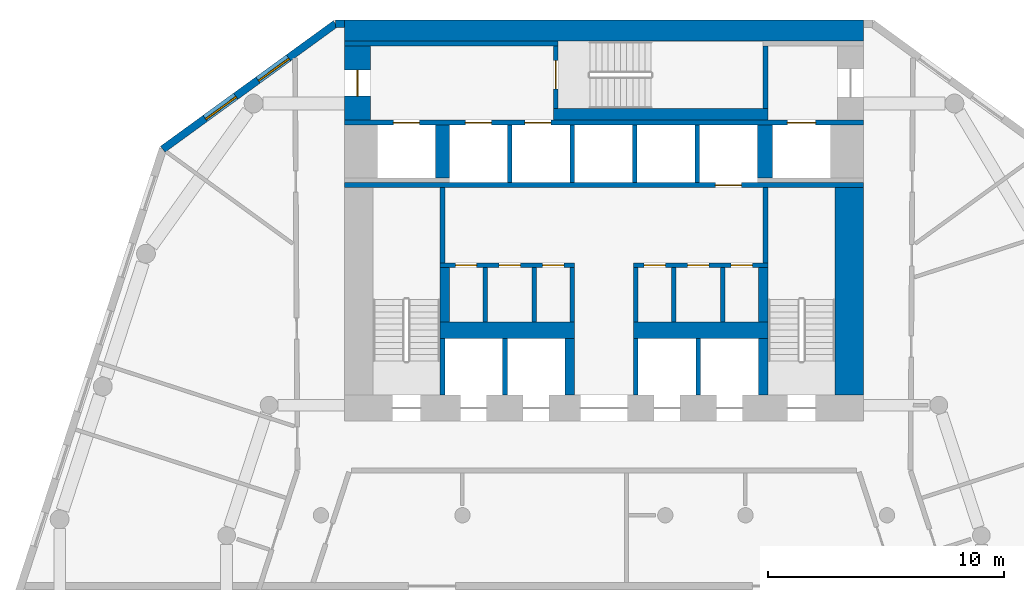
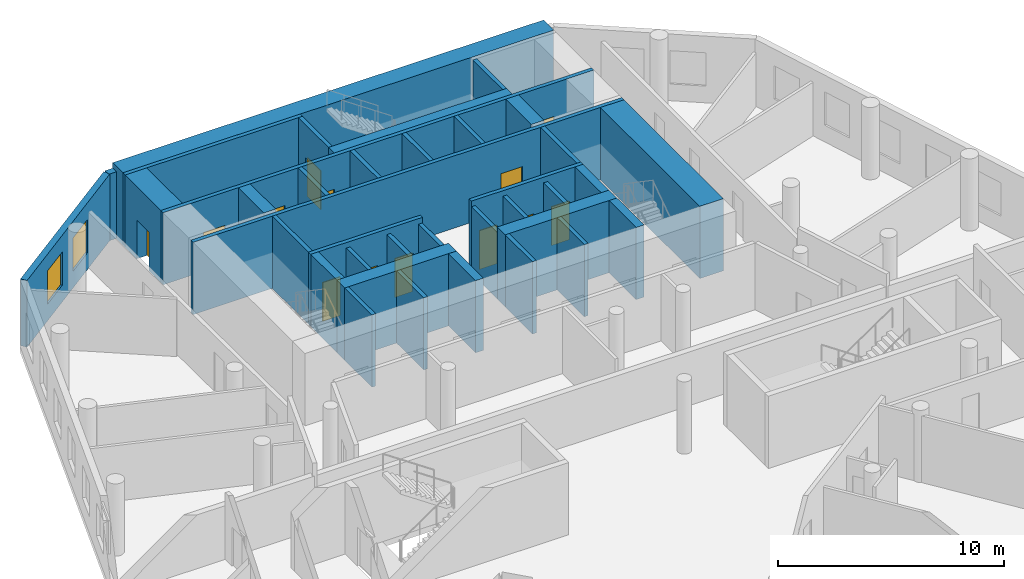
# One storey, part 5 of 9: 37 walls, 13 doors, 2 windows, 15 openings.
"""IFC4 building model written with IfcOpenShell, lengths in metres."""

from ifc_helpers import new_model, si_unit, direction, frame, frame_2d, origin, place, context, subcontext, project, spatial, rectangle, extrude, material, layer, layer_set, type_object, element, fill, save


model = new_model("IFC4")

# Units and contexts
model_context = context("Model", 3, precision=1e-05, world=origin(), true_north=direction((0.0, 1.0)))
body_context = subcontext(model_context, "Body", "Model", "MODEL_VIEW")
ifc_project = project(units=[si_unit("LENGTHUNIT", "METRE"), si_unit("AREAUNIT", "SQUARE_METRE"), si_unit("VOLUMEUNIT", "CUBIC_METRE"), si_unit("PLANEANGLEUNIT", "RADIAN"), si_unit("MASSUNIT", "GRAM", prefix="KILO")], contexts=[model_context])

# Site, building, storey
site_placement = place(None, origin())
site = spatial("IfcSite", under=ifc_project, at=site_placement, CompositionType="ELEMENT")
building_placement = place(site_placement, origin())
building = spatial("IfcBuilding", under=site, at=building_placement, Name="White Candle Pilgrim Tower", CompositionType="ELEMENT")
storey_placement = place(building_placement, frame((0.0, 0.0, 133.699951171875)))
storey = spatial("IfcBuildingStorey", under=building, at=storey_placement, Name="L30", CompositionType="ELEMENT", Elevation=133.699951171875)

# Wall, opening, door
ifc_material_1 = material(Name="Concrete C60/75", Category="concrete")
ifc_layer_1 = layer(ifc_material_1, 1.10009765625)
ifc_layer_set_1 = layer_set([ifc_layer_1], Name="Core wall 1100 mm Concrete C60/75")
wall_type_1 = type_object("IfcWallType", Name="Core wall 1100 mm Concrete C60/75", PredefinedType="SHEAR", material=ifc_layer_set_1)
wall_1_placement = place(storey_placement, frame((59.550048828125, 83.75, 0.0), z_axis=(0.0, 0.0, 1.0), x_axis=(0.0, 1.0, 0.0)))
wall_1 = element("IfcWall", 1, at=wall_1_placement, inside=storey, type_object=wall_type_1, Name="WL-L30-C46", PredefinedType="SHEAR", context=body_context, shape_type="SweptSolid", body=[
    extrude(rectangle(XDim=3.14990234375, YDim=1.10009765625, at=frame_2d((1.574951171875, 0.0))), origin(), (0.0, 0.0, 1.0), 3.900146484375),
])
opening_1_placement = place(wall_1_placement, frame((1.02490234375, 0.0, 0.0)))
opening_1 = element("IfcOpeningElement", 2, at=opening_1_placement, cuts=wall_1, Name="Opening T09-005", PredefinedType="OPENING", context=body_context, shape_type="SweptSolid", body=[
    extrude(rectangle(XDim=1.10009765625, YDim=2.10009765625, at=frame_2d((0.550048828125, 1.050048828125))), frame((0.0, 0.56005859375, 0.0), z_axis=(0.0, -1.0, 0.0), x_axis=(1.0, 0.0, 0.0)), (0.0, 0.0, 1.0), 1.1201171875),
])
ifc_material_2 = material(Name="Steel door leaf", Category="steel")
door_type_1 = type_object("IfcDoorType", Name="Fire door 1100 x 2100 EI 60", OperationType="NOTDEFINED", PredefinedType="DOOR", material=ifc_material_2)
door_1_placement = place(opening_1_placement, origin())
door_1 = element("IfcDoor", 3, at=door_1_placement, inside=storey, type_object=door_type_1, Name="Door T09-005", OperationType="SINGLE_SWING_LEFT", OverallHeight=2.10009765625, OverallWidth=1.10009765625, PredefinedType="DOOR", context=body_context, shape_type="SweptSolid", body=[
    extrude(rectangle(XDim=1.10009765625, YDim=2.10009765625, at=frame_2d((0.550048828125, 1.050048828125))), frame((0.0, 0.02490234375, 0.0), z_axis=(0.0, -1.0, 0.0), x_axis=(1.0, 0.0, 0.0)), (0.0, 0.0, 1.0), 0.050048828125),
])
fill(opening_1, door_1)

# Wall, openings, doors
ifc_layer_2 = layer(ifc_material_1, 0.199951171875)
ifc_layer_set_2 = layer_set([ifc_layer_2], Name="Core wall 200 mm Concrete C60/75")
wall_type_2 = type_object("IfcWallType", Name="Core wall 200 mm Concrete C60/75", PredefinedType="SHEAR", material=ifc_layer_set_2)
wall_2_placement = place(storey_placement, frame((59.0, 83.64990234375, 0.0), z_axis=(0.0, 0.0, 1.0), x_axis=(1.0, 0.0, 0.0)))
wall_2 = element("IfcWall", 4, at=wall_2_placement, inside=storey, type_object=wall_type_2, Name="WL-L30-C45", PredefinedType="SHEAR", context=body_context, shape_type="SweptSolid", body=[
    extrude(rectangle(XDim=22.0, YDim=0.199951171875, at=frame_2d((11.0, 0.0))), origin(), (0.0, 0.0, 1.0), 3.900146484375),
])
opening_2_placement = place(wall_2_placement, frame((5.125, 0.0, 0.0)))
opening_2 = element("IfcOpeningElement", 5, at=opening_2_placement, cuts=wall_2, Name="Opening T09-011", PredefinedType="OPENING", context=body_context, shape_type="SweptSolid", body=[
    extrude(rectangle(XDim=1.10009765625, YDim=2.10009765625, at=frame_2d((0.550048828125, 1.050048828125))), frame((0.0, 0.10986328125, 0.0), z_axis=(0.0, -1.0, 0.0), x_axis=(1.0, 0.0, 0.0)), (0.0, 0.0, 1.0), 0.219970703125),
])
opening_3_placement = place(wall_2_placement, frame((7.64990234375, 0.0, 0.0)))
opening_3 = element("IfcOpeningElement", 6, at=opening_3_placement, cuts=wall_2, Name="Opening T09-012", PredefinedType="OPENING", context=body_context, shape_type="SweptSolid", body=[
    extrude(rectangle(XDim=1.10009765625, YDim=2.10009765625, at=frame_2d((0.550048828125, 1.050048828125))), frame((0.0, 0.10986328125, 0.0), z_axis=(0.0, -1.0, 0.0), x_axis=(1.0, 0.0, 0.0)), (0.0, 0.0, 1.0), 0.219970703125),
])
opening_4_placement = place(wall_2_placement, frame((18.77490234375, 0.0, 0.0)))
opening_4 = element("IfcOpeningElement", 7, at=opening_4_placement, cuts=wall_2, Name="Opening T09-018", PredefinedType="OPENING", context=body_context, shape_type="SweptSolid", body=[
    extrude(rectangle(XDim=1.199951171875, YDim=2.10009765625, at=frame_2d((0.60009765625, 1.050048828125))), frame((0.0, 0.10986328125, 0.0), z_axis=(0.0, -1.0, 0.0), x_axis=(1.0, 0.0, 0.0)), (0.0, 0.0, 1.0), 0.219970703125),
])
opening_5_placement = place(wall_2_placement, frame((2.074951171875, 0.0, 0.0)))
opening_5 = element("IfcOpeningElement", 8, at=opening_5_placement, cuts=wall_2, Name="Opening T09-019", PredefinedType="OPENING", context=body_context, shape_type="SweptSolid", body=[
    extrude(rectangle(XDim=1.10009765625, YDim=2.10009765625, at=frame_2d((0.550048828125, 1.050048828125))), frame((0.0, 0.10986328125, 0.0), z_axis=(0.0, -1.0, 0.0), x_axis=(1.0, 0.0, 0.0)), (0.0, 0.0, 1.0), 0.219970703125),
])
ifc_material_3 = material(Name="Stainless steel", Category="steel")
door_type_2 = type_object("IfcDoorType", Name="Lift landing door 1100 x 2100 EI 60", OperationType="DOUBLE_DOOR_SLIDING", PredefinedType="DOOR", material=ifc_material_3)
door_2_placement = place(opening_2_placement, origin())
door_2 = element("IfcDoor", 9, at=door_2_placement, inside=storey, type_object=door_type_2, Name="Door T09-011", OperationType="DOUBLE_DOOR_SLIDING", OverallHeight=2.10009765625, OverallWidth=1.10009765625, PredefinedType="DOOR", context=body_context, shape_type="SweptSolid", body=[
    extrude(rectangle(XDim=1.10009765625, YDim=2.10009765625, at=frame_2d((0.550048828125, 1.050048828125))), frame((0.0, 0.02490234375, 0.0), z_axis=(0.0, -1.0, 0.0), x_axis=(1.0, 0.0, 0.0)), (0.0, 0.0, 1.0), 0.050048828125),
])
fill(opening_2, door_2)
door_3_placement = place(opening_3_placement, origin())
door_3 = element("IfcDoor", 10, at=door_3_placement, inside=storey, type_object=door_type_2, Name="Door T09-012", OperationType="DOUBLE_DOOR_SLIDING", OverallHeight=2.10009765625, OverallWidth=1.10009765625, PredefinedType="DOOR", context=body_context, shape_type="SweptSolid", body=[
    extrude(rectangle(XDim=1.10009765625, YDim=2.10009765625, at=frame_2d((0.550048828125, 1.050048828125))), frame((0.0, 0.02490234375, 0.0), z_axis=(0.0, -1.0, 0.0), x_axis=(1.0, 0.0, 0.0)), (0.0, 0.0, 1.0), 0.050048828125),
])
fill(opening_3, door_3)
door_4_placement = place(opening_5_placement, origin())
door_4 = element("IfcDoor", 11, at=door_4_placement, inside=storey, type_object=door_type_2, Name="Door T09-019", OperationType="DOUBLE_DOOR_SLIDING", OverallHeight=2.10009765625, OverallWidth=1.10009765625, PredefinedType="DOOR", context=body_context, shape_type="SweptSolid", body=[
    extrude(rectangle(XDim=1.10009765625, YDim=2.10009765625, at=frame_2d((0.550048828125, 1.050048828125))), frame((0.0, 0.02490234375, 0.0), z_axis=(0.0, -1.0, 0.0), x_axis=(1.0, 0.0, 0.0)), (0.0, 0.0, 1.0), 0.050048828125),
])
fill(opening_5, door_4)
door_type_3 = type_object("IfcDoorType", Name="Lift landing door 1200 x 2100 E 60", OperationType="DOUBLE_DOOR_SLIDING", PredefinedType="DOOR", material=ifc_material_3)
door_5_placement = place(opening_4_placement, origin())
door_5 = element("IfcDoor", 12, at=door_5_placement, inside=storey, type_object=door_type_3, Name="Door T09-018", OperationType="DOUBLE_DOOR_SLIDING", OverallHeight=2.10009765625, OverallWidth=1.199951171875, PredefinedType="DOOR", context=body_context, shape_type="SweptSolid", body=[
    extrude(rectangle(XDim=1.199951171875, YDim=2.10009765625, at=frame_2d((0.60009765625, 1.050048828125))), frame((0.0, 0.02490234375, 0.0), z_axis=(0.0, -1.0, 0.0), x_axis=(1.0, 0.0, 0.0)), (0.0, 0.0, 1.0), 0.050048828125),
])
fill(opening_4, door_5)

# Wall
ifc_material_4 = material(Name="Precast concrete C40/50", Category="concrete")
ifc_layer_3 = layer(ifc_material_4, 0.320068359375)
ifc_layer_set_3 = layer_set([ifc_layer_3], Name="Facade wall EW1 precast concrete C40/50 pier wall with timber-lined reveals")
wall_type_3 = type_object("IfcWallType", Name="Facade wall EW1 precast concrete C40/50 pier wall with timber-lined reveals", PredefinedType="SOLIDWALL", material=ifc_layer_set_3)
wall_3_placement = place(storey_placement, frame((59.0, 87.840087890625, 0.0), z_axis=(0.0, 0.0, 1.0), x_axis=(-1.0, 0.0, 0.0)))
element("IfcWall", 13, at=wall_3_placement, inside=storey, type_object=wall_type_3, Name="Facade wall L30 N", PredefinedType="SOLIDWALL", context=body_context, shape_type="SweptSolid", body=[
    extrude(rectangle(XDim=0.385009765625, YDim=0.320068359375, at=frame_2d((0.1923828125, 0.0))), origin(), (0.0, 0.0, 1.0), 3.60009765625),
])

# Wall, openings, windows
wall_4_placement = place(storey_placement, frame((58.614990234375, 87.840087890625, 0.0), z_axis=(0.0, 0.0, 1.0), x_axis=(-0.809020636, -0.587780239993, 0.0)))
wall_4 = element("IfcWall", 14, at=wall_4_placement, inside=storey, type_object=wall_type_3, Name="Facade wall L30 NW chamfer", PredefinedType="SOLIDWALL", context=body_context, shape_type="SweptSolid", body=[
    extrude(rectangle(XDim=9.0498046875, YDim=0.320068359375, at=frame_2d((4.52490234375, 0.0))), origin(), (0.0, 0.0, 1.0), 3.60009765625),
])
opening_6_placement = place(wall_4_placement, frame((2.459228515625, 0.0, 0.89990234375)))
opening_6 = element("IfcOpeningElement", 15, at=opening_6_placement, cuts=wall_4, Name="Opening W2", PredefinedType="OPENING", context=body_context, shape_type="SweptSolid", body=[
    extrude(rectangle(XDim=1.60009765625, YDim=1.800048828125, at=frame_2d((0.800048828125, 0.89990234375))), frame((0.0, 0.169921875, 0.0), z_axis=(0.0, -1.0, 0.0), x_axis=(1.0, 0.0, 0.0)), (0.0, 0.0, 1.0), 0.340087890625),
])
opening_7_placement = place(wall_4_placement, frame((5.224853515625, 0.0, 0.89990234375)))
opening_7 = element("IfcOpeningElement", 16, at=opening_7_placement, cuts=wall_4, Name="Opening W2", PredefinedType="OPENING", context=body_context, shape_type="SweptSolid", body=[
    extrude(rectangle(XDim=1.60009765625, YDim=1.800048828125, at=frame_2d((0.800048828125, 0.89990234375))), frame((0.0, 0.169921875, 0.0), z_axis=(0.0, -1.0, 0.0), x_axis=(1.0, 0.0, 0.0)), (0.0, 0.0, 1.0), 0.340087890625),
])
ifc_material_5 = material(Name="Timber frame with triple glazing", Category="wood")
window_type = type_object("IfcWindowType", Name="Window W2 1600x1800 timber frame triple glazing", PartitioningType="SINGLE_PANEL", PredefinedType="WINDOW", material=ifc_material_5)
window_1_placement = place(opening_6_placement, origin())
window_1 = element("IfcWindow", 17, at=window_1_placement, inside=storey, type_object=window_type, Name="Window W2 L30 NW chamfer 1", OverallHeight=1.800048828125, OverallWidth=1.60009765625, PartitioningType="SINGLE_PANEL", PredefinedType="WINDOW", context=body_context, shape_type="SweptSolid", body=[
    extrude(rectangle(XDim=1.60009765625, YDim=1.800048828125, at=frame_2d((0.800048828125, 0.89990234375))), frame((0.0, 0.070068359375, 0.0), z_axis=(0.0, -1.0, 0.0), x_axis=(1.0, 0.0, 0.0)), (0.0, 0.0, 1.0), 0.06005859375),
])
fill(opening_6, window_1)
window_2_placement = place(opening_7_placement, origin())
window_2 = element("IfcWindow", 18, at=window_2_placement, inside=storey, type_object=window_type, Name="Window W2 L30 NW chamfer 2", OverallHeight=1.800048828125, OverallWidth=1.60009765625, PartitioningType="SINGLE_PANEL", PredefinedType="WINDOW", context=body_context, shape_type="SweptSolid", body=[
    extrude(rectangle(XDim=1.60009765625, YDim=1.800048828125, at=frame_2d((0.800048828125, 0.89990234375))), frame((0.0, 0.070068359375, 0.0), z_axis=(0.0, -1.0, 0.0), x_axis=(1.0, 0.0, 0.0)), (0.0, 0.0, 1.0), 0.06005859375),
])
fill(opening_7, window_2)

# Walls
ifc_material_6 = material(Name="Gypsum board on steel studs", Category="steel")
ifc_layer_4 = layer(ifc_material_6, 0.199951171875)
ifc_layer_set_4 = layer_set([ifc_layer_4], Name="Lobby wall 200 mm EI 60")
wall_type_4 = type_object("IfcWallType", Name="Lobby wall 200 mm EI 60", PredefinedType="PARTITIONING", material=ifc_layer_set_4)
for number, where, z_axis, x_axis, name in (
    (19, (64.9599609375, 75.199951171875, 0.0), (0.0, 0.0, 1.0), (0.0, 1.0, 0.0), "WL-L30-C23"),
    (20, (67.0400390625, 75.199951171875, 0.0), (0.0, 0.0, 1.0), (0.0, 1.0, 0.0), "WL-L30-C24"),
    (21, (68.64990234375, 75.199951171875, 0.0), (0.0, 0.0, 1.0), (0.0, 1.0, 0.0), "WL-L30-C25"),
    (22, (71.35009765625, 75.199951171875, 0.0), (0.0, 0.0, 1.0), (0.0, 1.0, 0.0), "WL-L30-C26"),
    (23, (72.9599609375, 75.199951171875, 0.0), (0.0, 0.0, 1.0), (0.0, 1.0, 0.0), "WL-L30-C27"),
    (24, (75.0400390625, 75.199951171875, 0.0), (0.0, 0.0, 1.0), (0.0, 1.0, 0.0), "WL-L30-C28"),
):
    element("IfcWall", number, at=place(storey_placement, frame(where, z_axis=z_axis, x_axis=x_axis)), inside=storey, type_object=wall_type_4, Name=name, PredefinedType="PARTITIONING", context=body_context, shape_type="SweptSolid", body=[
        extrude(rectangle(XDim=2.300048828125, YDim=0.199951171875, at=frame_2d((1.14990234375, 0.0))), origin(), (0.0, 0.0, 1.0), 3.60009765625),
    ])
ifc_layer_5 = layer(ifc_material_1, 0.199951171875)
ifc_layer_set_5 = layer_set([ifc_layer_5], Name="Shaft wall 200 mm Concrete C60/75")
wall_type_5 = type_object("IfcWallType", Name="Shaft wall 200 mm Concrete C60/75", PredefinedType="SHEAR", material=ifc_layer_set_5)
for number, where, z_axis, x_axis, name in (
    (25, (65.800048828125, 72.10009765625, 0.0), (0.0, 0.0, 1.0), (0.0, 1.0, 0.0), "WL-L30-C14"),
    (26, (71.35009765625, 72.10009765625, 0.0), (0.0, 0.0, 1.0), (0.0, 1.0, 0.0), "WL-L30-C16"),
    (27, (74.0, 72.10009765625, 0.0), (0.0, 0.0, 1.0), (0.0, 1.0, 0.0), "WL-L30-C17"),
):
    element("IfcWall", number, at=place(storey_placement, frame(where, z_axis=z_axis, x_axis=x_axis)), inside=storey, type_object=wall_type_5, Name=name, PredefinedType="SHEAR", context=body_context, shape_type="SweptSolid", body=[
        extrude(rectangle(XDim=2.39990234375, YDim=0.199951171875, at=frame_2d((1.199951171875, 0.0))), origin(), (0.0, 0.0, 1.0), 3.900146484375),
    ])
for number, where, z_axis, x_axis, name in (
    (28, (66.0, 81.10009765625, 0.0), (0.0, 0.0, 1.0), (0.0, 1.0, 0.0), "WL-L30-C36"),
    (29, (68.64990234375, 81.10009765625, 0.0), (0.0, 0.0, 1.0), (0.0, 1.0, 0.0), "WL-L30-C37"),
    (30, (71.300048828125, 81.10009765625, 0.0), (0.0, 0.0, 1.0), (0.0, 1.0, 0.0), "WL-L30-C38"),
    (31, (73.949951171875, 81.10009765625, 0.0), (0.0, 0.0, 1.0), (0.0, 1.0, 0.0), "WL-L30-C39"),
):
    element("IfcWall", number, at=place(storey_placement, frame(where, z_axis=z_axis, x_axis=x_axis)), inside=storey, type_object=wall_type_5, Name=name, PredefinedType="SHEAR", context=body_context, shape_type="SweptSolid", body=[
        extrude(rectangle(XDim=2.449951171875, YDim=0.199951171875, at=frame_2d((1.22509765625, 0.0))), origin(), (0.0, 0.0, 1.0), 3.900146484375),
    ])
ifc_layer_6 = layer(ifc_material_1, 0.39990234375)
ifc_layer_set_6 = layer_set([ifc_layer_6], Name="Shaft wall 400 mm Concrete C60/75")
wall_type_6 = type_object("IfcWallType", Name="Shaft wall 400 mm Concrete C60/75", PredefinedType="SHEAR", material=ifc_layer_set_6)
wall_5_placement = place(storey_placement, frame((68.550048828125, 72.10009765625, 0.0), z_axis=(0.0, 0.0, 1.0), x_axis=(0.0, 1.0, 0.0)))
element("IfcWall", 32, at=wall_5_placement, inside=storey, type_object=wall_type_6, Name="WL-L30-C15", PredefinedType="SHEAR", context=body_context, shape_type="SweptSolid", body=[
    extrude(rectangle(XDim=2.39990234375, YDim=0.39990234375, at=frame_2d((1.199951171875, 0.0))), origin(), (0.0, 0.0, 1.0), 3.900146484375),
])
ifc_layer_7 = layer(ifc_material_1, 0.60009765625)
ifc_layer_set_7 = layer_set([ifc_layer_7], Name="Shaft wall 600 mm Concrete C60/75")
wall_type_7 = type_object("IfcWallType", Name="Shaft wall 600 mm Concrete C60/75", PredefinedType="SHEAR", material=ifc_layer_set_7)
wall_6_placement = place(storey_placement, frame((63.14990234375, 81.300048828125, 0.0), z_axis=(0.0, 0.0, 1.0), x_axis=(0.0, 1.0, 0.0)))
element("IfcWall", 33, at=wall_6_placement, inside=storey, type_object=wall_type_7, Name="WL-L30-C42", PredefinedType="SHEAR", context=body_context, shape_type="SweptSolid", body=[
    extrude(rectangle(XDim=2.25, YDim=0.60009765625, at=frame_2d((1.125, 0.0))), origin(), (0.0, 0.0, 1.0), 3.900146484375),
])
ifc_layer_8 = layer(ifc_material_1, 0.64990234375)
ifc_layer_set_8 = layer_set([ifc_layer_8], Name="Shaft wall 650 mm Concrete C60/75")
wall_type_8 = type_object("IfcWallType", Name="Shaft wall 650 mm Concrete C60/75", PredefinedType="SHEAR", material=ifc_layer_set_8)
wall_7_placement = place(storey_placement, frame((76.824951171875, 81.300048828125, 0.0), z_axis=(0.0, 0.0, 1.0), x_axis=(0.0, 1.0, 0.0)))
element("IfcWall", 34, at=wall_7_placement, inside=storey, type_object=wall_type_8, Name="WL-L30-C43", PredefinedType="SHEAR", context=body_context, shape_type="SweptSolid", body=[
    extrude(rectangle(XDim=2.25, YDim=0.64990234375, at=frame_2d((1.125, 0.0))), origin(), (0.0, 0.0, 1.0), 3.900146484375),
])
ifc_layer_9 = layer(ifc_material_1, 1.199951171875)
ifc_layer_set_9 = layer_set([ifc_layer_9], Name="Stair shaft wall 1200 mm Concrete C60/75")
wall_type_9 = type_object("IfcWallType", Name="Stair shaft wall 1200 mm Concrete C60/75", PredefinedType="SHEAR", material=ifc_layer_set_9)
wall_8_placement = place(storey_placement, frame((80.39990234375, 72.10009765625, 0.0), z_axis=(0.0, 0.0, 1.0), x_axis=(0.0, 1.0, 0.0)))
element("IfcWall", 35, at=wall_8_placement, inside=storey, type_object=wall_type_9, Name="WL-L30-C19", PredefinedType="SHEAR", context=body_context, shape_type="SweptSolid", body=[
    extrude(rectangle(XDim=8.7998046875, YDim=1.199951171875, at=frame_2d((4.39990234375, 0.0))), origin(), (0.0, 0.0, 1.0), 3.900146484375),
])
ifc_layer_10 = layer(ifc_material_1, 0.199951171875)
ifc_layer_set_10 = layer_set([ifc_layer_10], Name="Stair shaft wall 200 mm Concrete C60/75")
wall_type_10 = type_object("IfcWallType", Name="Stair shaft wall 200 mm Concrete C60/75", PredefinedType="SHEAR", material=ifc_layer_set_10)
wall_9_placement = place(storey_placement, frame((63.14990234375, 72.10009765625, 0.0), z_axis=(0.0, 0.0, 1.0), x_axis=(0.0, 1.0, 0.0)))
element("IfcWall", 36, at=wall_9_placement, inside=storey, type_object=wall_type_10, Name="WL-L30-C13", PredefinedType="SHEAR", context=body_context, shape_type="SweptSolid", body=[
    extrude(rectangle(XDim=2.39990234375, YDim=0.199951171875, at=frame_2d((1.199951171875, 0.0))), origin(), (0.0, 0.0, 1.0), 3.900146484375),
])

# Wall, openings, doors
wall_10_placement = place(storey_placement, frame((63.050048828125, 77.60009765625, 0.0), z_axis=(0.0, 0.0, 1.0), x_axis=(1.0, 0.0, 0.0)))
wall_10 = element("IfcWall", 37, at=wall_10_placement, inside=storey, type_object=wall_type_10, Name="WL-L30-C30", PredefinedType="SHEAR", context=body_context, shape_type="SweptSolid", body=[
    extrude(rectangle(XDim=5.699951171875, YDim=0.199951171875, at=frame_2d((2.85009765625, 0.0))), origin(), (0.0, 0.0, 1.0), 3.900146484375),
])
opening_8_placement = place(wall_10_placement, frame((0.655029296875, 0.0, 0.0)))
opening_8 = element("IfcOpeningElement", 38, at=opening_8_placement, cuts=wall_10, Name="Opening T09-020", PredefinedType="OPENING", context=body_context, shape_type="SweptSolid", body=[
    extrude(rectangle(XDim=0.89990234375, YDim=2.10009765625, at=frame_2d((0.449951171875, 1.050048828125))), frame((0.0, 0.10986328125, 0.0), z_axis=(0.0, -1.0, 0.0), x_axis=(1.0, 0.0, 0.0)), (0.0, 0.0, 1.0), 0.219970703125),
])
opening_9_placement = place(wall_10_placement, frame((2.5, 0.0, 0.0)))
opening_9 = element("IfcOpeningElement", 39, at=opening_9_placement, cuts=wall_10, Name="Opening T09-021", PredefinedType="OPENING", context=body_context, shape_type="SweptSolid", body=[
    extrude(rectangle(XDim=0.89990234375, YDim=2.10009765625, at=frame_2d((0.449951171875, 1.050048828125))), frame((0.0, 0.10986328125, 0.0), z_axis=(0.0, -1.0, 0.0), x_axis=(1.0, 0.0, 0.0)), (0.0, 0.0, 1.0), 0.219970703125),
])
opening_10_placement = place(wall_10_placement, frame((4.344970703125, 0.0, 0.0)))
opening_10 = element("IfcOpeningElement", 40, at=opening_10_placement, cuts=wall_10, Name="Opening T09-022", PredefinedType="OPENING", context=body_context, shape_type="SweptSolid", body=[
    extrude(rectangle(XDim=0.89990234375, YDim=2.10009765625, at=frame_2d((0.449951171875, 1.050048828125))), frame((0.0, 0.10986328125, 0.0), z_axis=(0.0, -1.0, 0.0), x_axis=(1.0, 0.0, 0.0)), (0.0, 0.0, 1.0), 0.219970703125),
])
door_type_4 = type_object("IfcDoorType", Name="Fire door 900 x 2100 EI 30", OperationType="NOTDEFINED", PredefinedType="DOOR", material=ifc_material_2)
door_6_placement = place(opening_8_placement, origin())
door_6 = element("IfcDoor", 41, at=door_6_placement, inside=storey, type_object=door_type_4, Name="Door T09-020", OperationType="SINGLE_SWING_RIGHT", OverallHeight=2.10009765625, OverallWidth=0.89990234375, PredefinedType="DOOR", context=body_context, shape_type="SweptSolid", body=[
    extrude(rectangle(XDim=0.89990234375, YDim=2.10009765625, at=frame_2d((0.449951171875, 1.050048828125))), frame((0.0, 0.02490234375, 0.0), z_axis=(0.0, -1.0, 0.0), x_axis=(1.0, 0.0, 0.0)), (0.0, 0.0, 1.0), 0.050048828125),
])
fill(opening_8, door_6)
door_7_placement = place(opening_9_placement, origin())
door_7 = element("IfcDoor", 42, at=door_7_placement, inside=storey, type_object=door_type_4, Name="Door T09-021", OperationType="SINGLE_SWING_LEFT", OverallHeight=2.10009765625, OverallWidth=0.89990234375, PredefinedType="DOOR", context=body_context, shape_type="SweptSolid", body=[
    extrude(rectangle(XDim=0.89990234375, YDim=2.10009765625, at=frame_2d((0.449951171875, 1.050048828125))), frame((0.0, 0.02490234375, 0.0), z_axis=(0.0, -1.0, 0.0), x_axis=(1.0, 0.0, 0.0)), (0.0, 0.0, 1.0), 0.050048828125),
])
fill(opening_9, door_7)
door_8_placement = place(opening_10_placement, origin())
door_8 = element("IfcDoor", 43, at=door_8_placement, inside=storey, type_object=door_type_4, Name="Door T09-022", OperationType="SINGLE_SWING_RIGHT", OverallHeight=2.10009765625, OverallWidth=0.89990234375, PredefinedType="DOOR", context=body_context, shape_type="SweptSolid", body=[
    extrude(rectangle(XDim=0.89990234375, YDim=2.10009765625, at=frame_2d((0.449951171875, 1.050048828125))), frame((0.0, 0.02490234375, 0.0), z_axis=(0.0, -1.0, 0.0), x_axis=(1.0, 0.0, 0.0)), (0.0, 0.0, 1.0), 0.050048828125),
])
fill(opening_10, door_8)

wall_11_placement = place(storey_placement, frame((71.25, 77.60009765625, 0.0), z_axis=(0.0, 0.0, 1.0), x_axis=(1.0, 0.0, 0.0)))
wall_11 = element("IfcWall", 44, at=wall_11_placement, inside=storey, type_object=wall_type_10, Name="WL-L30-C31", PredefinedType="SHEAR", context=body_context, shape_type="SweptSolid", body=[
    extrude(rectangle(XDim=5.699951171875, YDim=0.199951171875, at=frame_2d((2.85009765625, 0.0))), origin(), (0.0, 0.0, 1.0), 3.900146484375),
])
opening_11_placement = place(wall_11_placement, frame((0.455078125, 0.0, 0.0)))
opening_11 = element("IfcOpeningElement", 45, at=opening_11_placement, cuts=wall_11, Name="Opening T09-023", PredefinedType="OPENING", context=body_context, shape_type="SweptSolid", body=[
    extrude(rectangle(XDim=0.89990234375, YDim=2.10009765625, at=frame_2d((0.449951171875, 1.050048828125))), frame((0.0, 0.10986328125, 0.0), z_axis=(0.0, -1.0, 0.0), x_axis=(1.0, 0.0, 0.0)), (0.0, 0.0, 1.0), 0.219970703125),
])
opening_12_placement = place(wall_11_placement, frame((2.300048828125, 0.0, 0.0)))
opening_12 = element("IfcOpeningElement", 46, at=opening_12_placement, cuts=wall_11, Name="Opening T09-024", PredefinedType="OPENING", context=body_context, shape_type="SweptSolid", body=[
    extrude(rectangle(XDim=0.89990234375, YDim=2.10009765625, at=frame_2d((0.449951171875, 1.050048828125))), frame((0.0, 0.10986328125, 0.0), z_axis=(0.0, -1.0, 0.0), x_axis=(1.0, 0.0, 0.0)), (0.0, 0.0, 1.0), 0.219970703125),
])
opening_13_placement = place(wall_11_placement, frame((4.14501953125, 0.0, 0.0)))
opening_13 = element("IfcOpeningElement", 47, at=opening_13_placement, cuts=wall_11, Name="Opening T09-025", PredefinedType="OPENING", context=body_context, shape_type="SweptSolid", body=[
    extrude(rectangle(XDim=0.89990234375, YDim=2.10009765625, at=frame_2d((0.449951171875, 1.050048828125))), frame((0.0, 0.10986328125, 0.0), z_axis=(0.0, -1.0, 0.0), x_axis=(1.0, 0.0, 0.0)), (0.0, 0.0, 1.0), 0.219970703125),
])
door_9_placement = place(opening_11_placement, origin())
door_9 = element("IfcDoor", 48, at=door_9_placement, inside=storey, type_object=door_type_4, Name="Door T09-023", OperationType="SINGLE_SWING_LEFT", OverallHeight=2.10009765625, OverallWidth=0.89990234375, PredefinedType="DOOR", context=body_context, shape_type="SweptSolid", body=[
    extrude(rectangle(XDim=0.89990234375, YDim=2.10009765625, at=frame_2d((0.449951171875, 1.050048828125))), frame((0.0, 0.02490234375, 0.0), z_axis=(0.0, -1.0, 0.0), x_axis=(1.0, 0.0, 0.0)), (0.0, 0.0, 1.0), 0.050048828125),
])
fill(opening_11, door_9)
door_10_placement = place(opening_12_placement, origin())
door_10 = element("IfcDoor", 49, at=door_10_placement, inside=storey, type_object=door_type_4, Name="Door T09-024", OperationType="SINGLE_SWING_RIGHT", OverallHeight=2.10009765625, OverallWidth=0.89990234375, PredefinedType="DOOR", context=body_context, shape_type="SweptSolid", body=[
    extrude(rectangle(XDim=0.89990234375, YDim=2.10009765625, at=frame_2d((0.449951171875, 1.050048828125))), frame((0.0, 0.02490234375, 0.0), z_axis=(0.0, -1.0, 0.0), x_axis=(1.0, 0.0, 0.0)), (0.0, 0.0, 1.0), 0.050048828125),
])
fill(opening_12, door_10)
door_11_placement = place(opening_13_placement, origin())
door_11 = element("IfcDoor", 50, at=door_11_placement, inside=storey, type_object=door_type_4, Name="Door T09-025", OperationType="SINGLE_SWING_LEFT", OverallHeight=2.10009765625, OverallWidth=0.89990234375, PredefinedType="DOOR", context=body_context, shape_type="SweptSolid", body=[
    extrude(rectangle(XDim=0.89990234375, YDim=2.10009765625, at=frame_2d((0.449951171875, 1.050048828125))), frame((0.0, 0.02490234375, 0.0), z_axis=(0.0, -1.0, 0.0), x_axis=(1.0, 0.0, 0.0)), (0.0, 0.0, 1.0), 0.050048828125),
])
fill(opening_13, door_11)

# Walls
for number, where, z_axis, x_axis, name in (
    (51, (63.14990234375, 77.699951171875, 0.0), (0.0, 0.0, 1.0), (0.0, 1.0, 0.0), "WL-L30-C32"),
    (52, (76.85009765625, 77.699951171875, 0.0), (0.0, 0.0, 1.0), (0.0, 1.0, 0.0), "WL-L30-C33"),
):
    element("IfcWall", number, at=place(storey_placement, frame(where, z_axis=z_axis, x_axis=x_axis)), inside=storey, type_object=wall_type_10, Name=name, PredefinedType="SHEAR", context=body_context, shape_type="SweptSolid", body=[
        extrude(rectangle(XDim=3.199951171875, YDim=0.199951171875, at=frame_2d((1.60009765625, 0.0))), origin(), (0.0, 0.0, 1.0), 3.900146484375),
    ])

# Wall, opening, door
wall_12_placement = place(storey_placement, frame((59.0, 81.0, 0.0), z_axis=(0.0, 0.0, 1.0), x_axis=(1.0, 0.0, 0.0)))
wall_12 = element("IfcWall", 53, at=wall_12_placement, inside=storey, type_object=wall_type_10, Name="WL-L30-C34", PredefinedType="SHEAR", context=body_context, shape_type="SweptSolid", body=[
    extrude(rectangle(XDim=22.0, YDim=0.199951171875, at=frame_2d((11.0, 0.0))), origin(), (0.0, 0.0, 1.0), 3.900146484375),
])
opening_14_placement = place(wall_12_placement, frame((15.72509765625, 0.0, 0.0)))
opening_14 = element("IfcOpeningElement", 54, at=opening_14_placement, cuts=wall_12, Name="Opening T09-013", PredefinedType="OPENING", context=body_context, shape_type="SweptSolid", body=[
    extrude(rectangle(XDim=1.10009765625, YDim=2.10009765625, at=frame_2d((0.550048828125, 1.050048828125))), frame((0.0, 0.10986328125, 0.0), z_axis=(0.0, -1.0, 0.0), x_axis=(1.0, 0.0, 0.0)), (0.0, 0.0, 1.0), 0.219970703125),
])
door_type_5 = type_object("IfcDoorType", Name="Lift landing door 1100 x 2100 E 60", OperationType="DOUBLE_DOOR_SLIDING", PredefinedType="DOOR", material=ifc_material_3)
door_12_placement = place(opening_14_placement, origin())
door_12 = element("IfcDoor", 55, at=door_12_placement, inside=storey, type_object=door_type_5, Name="Door T09-013", OperationType="DOUBLE_DOOR_SLIDING", OverallHeight=2.10009765625, OverallWidth=1.10009765625, PredefinedType="DOOR", context=body_context, shape_type="SweptSolid", body=[
    extrude(rectangle(XDim=1.10009765625, YDim=2.10009765625, at=frame_2d((0.550048828125, 1.050048828125))), frame((0.0, 0.02490234375, 0.0), z_axis=(0.0, -1.0, 0.0), x_axis=(1.0, 0.0, 0.0)), (0.0, 0.0, 1.0), 0.050048828125),
])
fill(opening_14, door_12)

wall_13_placement = place(storey_placement, frame((67.949951171875, 84.25, 0.0), z_axis=(0.0, 0.0, 1.0), x_axis=(0.0, 1.0, 0.0)))
wall_13 = element("IfcWall", 56, at=wall_13_placement, inside=storey, type_object=wall_type_10, Name="WL-L30-C49", PredefinedType="SHEAR", context=body_context, shape_type="SweptSolid", body=[
    extrude(rectangle(XDim=2.64990234375, YDim=0.199951171875, at=frame_2d((1.324951171875, 0.0))), origin(), (0.0, 0.0, 1.0), 3.900146484375),
])
opening_15_placement = place(wall_13_placement, frame((0.824951171875, 0.0, 0.0)))
opening_15 = element("IfcOpeningElement", 57, at=opening_15_placement, cuts=wall_13, Name="Opening T09-003", PredefinedType="OPENING", context=body_context, shape_type="SweptSolid", body=[
    extrude(rectangle(XDim=1.199951171875, YDim=2.10009765625, at=frame_2d((0.60009765625, 1.050048828125))), frame((0.0, 0.10986328125, 0.0), z_axis=(0.0, -1.0, 0.0), x_axis=(1.0, 0.0, 0.0)), (0.0, 0.0, 1.0), 0.219970703125),
])
door_type_6 = type_object("IfcDoorType", Name="Fire door 1200 x 2100 EI 60", OperationType="NOTDEFINED", PredefinedType="DOOR", material=ifc_material_2)
door_13_placement = place(opening_15_placement, frame((1.199951171875, 0.0, 0.0), z_axis=(0.0, 0.0, 1.0), x_axis=(-1.0, 0.0, 0.0)))
door_13 = element("IfcDoor", 58, at=door_13_placement, inside=storey, type_object=door_type_6, Name="Door T09-003", OperationType="SINGLE_SWING_RIGHT", OverallHeight=2.10009765625, OverallWidth=1.199951171875, PredefinedType="DOOR", context=body_context, shape_type="SweptSolid", body=[
    extrude(rectangle(XDim=1.199951171875, YDim=2.10009765625, at=frame_2d((0.60009765625, 1.050048828125))), frame((0.0, 0.02490234375, 0.0), z_axis=(0.0, -1.0, 0.0), x_axis=(1.0, 0.0, 0.0)), (0.0, 0.0, 1.0), 0.050048828125),
])
fill(opening_15, door_13)

# Walls
wall_14_placement = place(storey_placement, frame((76.85009765625, 84.25, 0.0), z_axis=(0.0, 0.0, 1.0), x_axis=(0.0, 1.0, 0.0)))
element("IfcWall", 59, at=wall_14_placement, inside=storey, type_object=wall_type_10, Name="WL-L30-C50", PredefinedType="SHEAR", context=body_context, shape_type="SweptSolid", body=[
    extrude(rectangle(XDim=2.64990234375, YDim=0.199951171875, at=frame_2d((1.324951171875, 0.0))), origin(), (0.0, 0.0, 1.0), 3.900146484375),
])
wall_15_placement = place(storey_placement, frame((59.0, 87.0, 0.0), z_axis=(0.0, 0.0, 1.0), x_axis=(1.0, 0.0, 0.0)))
element("IfcWall", 60, at=wall_15_placement, inside=storey, type_object=wall_type_10, Name="WL-L30-C51", PredefinedType="SHEAR", context=body_context, shape_type="SweptSolid", body=[
    extrude(rectangle(XDim=9.050048828125, YDim=0.199951171875, at=frame_2d((4.52490234375, 0.0))), origin(), (0.0, 0.0, 1.0), 3.900146484375),
])
ifc_layer_11 = layer(ifc_material_1, 0.39990234375)
ifc_layer_set_11 = layer_set([ifc_layer_11], Name="Stair shaft wall 400 mm Concrete C60/75")
wall_type_11 = type_object("IfcWallType", Name="Stair shaft wall 400 mm Concrete C60/75", PredefinedType="SHEAR", material=ifc_layer_set_11)
wall_16_placement = place(storey_placement, frame((76.75, 72.10009765625, 0.0), z_axis=(0.0, 0.0, 1.0), x_axis=(0.0, 1.0, 0.0)))
element("IfcWall", 61, at=wall_16_placement, inside=storey, type_object=wall_type_11, Name="WL-L30-C18", PredefinedType="SHEAR", context=body_context, shape_type="SweptSolid", body=[
    extrude(rectangle(XDim=2.39990234375, YDim=0.39990234375, at=frame_2d((1.199951171875, 0.0))), origin(), (0.0, 0.0, 1.0), 3.900146484375),
])
for number, where, z_axis, x_axis, name in (
    (62, (63.25, 75.199951171875, 0.0), (0.0, 0.0, 1.0), (0.0, 1.0, 0.0), "WL-L30-C22"),
    (63, (76.75, 75.199951171875, 0.0), (0.0, 0.0, 1.0), (0.0, 1.0, 0.0), "WL-L30-C29"),
):
    element("IfcWall", number, at=place(storey_placement, frame(where, z_axis=z_axis, x_axis=x_axis)), inside=storey, type_object=wall_type_11, Name=name, PredefinedType="SHEAR", context=body_context, shape_type="SweptSolid", body=[
        extrude(rectangle(XDim=2.300048828125, YDim=0.39990234375, at=frame_2d((1.14990234375, 0.0))), origin(), (0.0, 0.0, 1.0), 3.900146484375),
    ])
ifc_layer_12 = layer(ifc_material_1, 0.5)
ifc_layer_set_12 = layer_set([ifc_layer_12], Name="Stair shaft wall 500 mm Concrete C60/75")
wall_type_12 = type_object("IfcWallType", Name="Stair shaft wall 500 mm Concrete C60/75", PredefinedType="SHEAR", material=ifc_layer_set_12)
wall_17_placement = place(storey_placement, frame((67.85009765625, 84.0, 0.0), z_axis=(0.0, 0.0, 1.0), x_axis=(1.0, 0.0, 0.0)))
element("IfcWall", 64, at=wall_17_placement, inside=storey, type_object=wall_type_12, Name="WL-L30-C47", PredefinedType="SHEAR", context=body_context, shape_type="SweptSolid", body=[
    extrude(rectangle(XDim=9.099853515625, YDim=0.5, at=frame_2d((4.5498046875, 0.0))), origin(), (0.0, 0.0, 1.0), 3.900146484375),
])
ifc_layer_13 = layer(ifc_material_1, 0.699951171875)
ifc_layer_set_13 = layer_set([ifc_layer_13], Name="Stair shaft wall 700 mm Concrete C60/75")
wall_type_13 = type_object("IfcWallType", Name="Stair shaft wall 700 mm Concrete C60/75", PredefinedType="SHEAR", material=ifc_layer_set_13)
for number, where, z_axis, x_axis, name in (
    (65, (63.050048828125, 74.85009765625, 0.0), (0.0, 0.0, 1.0), (1.0, 0.0, 0.0), "WL-L30-C20"),
    (66, (71.25, 74.85009765625, 0.0), (0.0, 0.0, 1.0), (1.0, 0.0, 0.0), "WL-L30-C21"),
):
    element("IfcWall", number, at=place(storey_placement, frame(where, z_axis=z_axis, x_axis=x_axis)), inside=storey, type_object=wall_type_13, Name=name, PredefinedType="SHEAR", context=body_context, shape_type="SweptSolid", body=[
        extrude(rectangle(XDim=5.699951171875, YDim=0.699951171875, at=frame_2d((2.85009765625, 0.0))), origin(), (0.0, 0.0, 1.0), 3.900146484375),
    ])
ifc_layer_14 = layer(ifc_material_1, 0.89990234375)
ifc_layer_set_14 = layer_set([ifc_layer_14], Name="Stair shaft wall 900 mm Concrete C60/75")
wall_type_14 = type_object("IfcWallType", Name="Stair shaft wall 900 mm Concrete C60/75", PredefinedType="SHEAR", material=ifc_layer_set_14)
wall_18_placement = place(storey_placement, frame((59.0, 87.550048828125, 0.0), z_axis=(0.0, 0.0, 1.0), x_axis=(1.0, 0.0, 0.0)))
element("IfcWall", 67, at=wall_18_placement, inside=storey, type_object=wall_type_14, Name="WL-L30-C53", PredefinedType="SHEAR", context=body_context, shape_type="SweptSolid", body=[
    extrude(rectangle(XDim=22.0, YDim=0.89990234375, at=frame_2d((11.0, 0.0))), origin(), (0.0, 0.0, 1.0), 3.900146484375),
])

save(model, "model.ifc")
